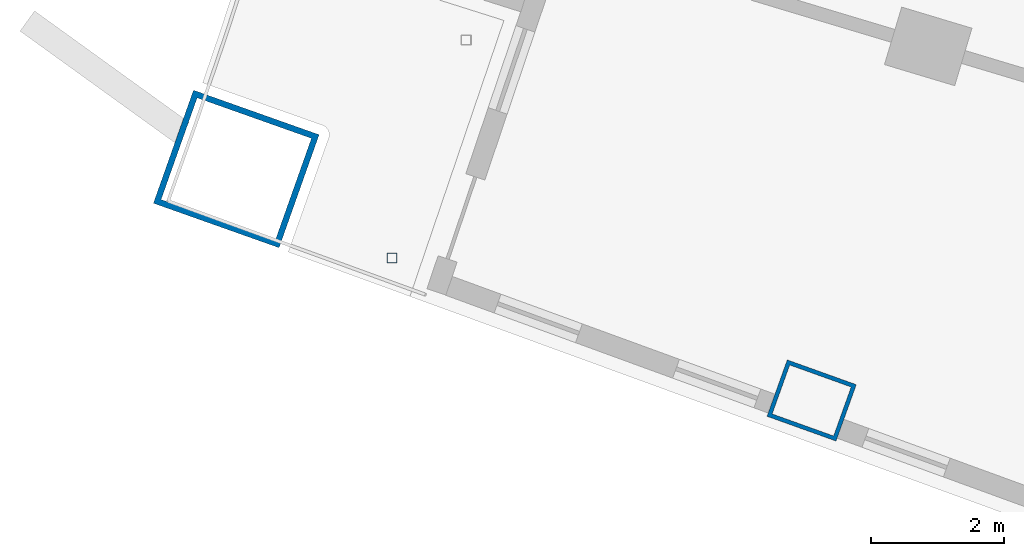
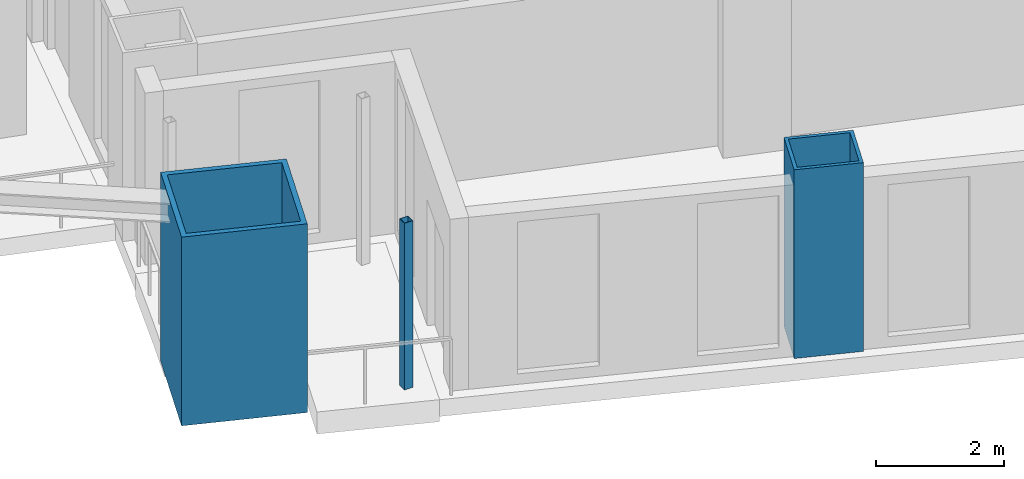
# One storey, part 1 of 25: 3 columns.
"""IFC4 building model written with IfcOpenShell, lengths in metres."""

from ifc_helpers import new_model, si_unit, direction, frame, origin, origin_2d, place, context, subcontext, project, spatial, hollow_rectangle, extrude, material, material_profile, profile_set, type_object, element, save


model = new_model("IFC4")

# Units and contexts
model_context = context("Model", 3, precision=1e-05, world=origin(), true_north=direction((0.0, 1.0)))
body_context = subcontext(model_context, "Body", "Model", "MODEL_VIEW")
ifc_project = project(units=[si_unit("LENGTHUNIT", "METRE"), si_unit("AREAUNIT", "SQUARE_METRE"), si_unit("VOLUMEUNIT", "CUBIC_METRE"), si_unit("PLANEANGLEUNIT", "RADIAN"), si_unit("MASSUNIT", "GRAM", prefix="KILO")], contexts=[model_context])

# Site, building, storey
site_placement = place(None, origin())
site = spatial("IfcSite", under=ifc_project, at=site_placement, CompositionType="ELEMENT")
building_placement = place(site_placement, origin())
building = spatial("IfcBuilding", under=site, at=building_placement, Name="Alderwake Tower", CompositionType="ELEMENT")
storey_placement = place(building_placement, frame((0.0, 0.0, 68.0)))
storey = spatial("IfcBuildingStorey", under=building, at=storey_placement, Name="L16", CompositionType="ELEMENT", Elevation=68.0)

# Columns
ifc_material_1 = material(Name="Steel ASTM A572 Grade 50 concrete filled C70/85", Category="concrete")
ifc_material_profile_1 = material_profile(ifc_material_1, hollow_rectangle(XDim=0.89990234375, YDim=1.10009765625, WallThickness=0.06005859375, at=origin_2d()), Name="BOX 1100X900X60")
ifc_profile_set_1 = profile_set([ifc_material_profile_1], Name="Steel ASTM A572 Grade 50 concrete filled C70/85")
column_type_1 = type_object("IfcColumnType", Name="End column Z1", PredefinedType="COLUMN", material=ifc_profile_set_1)
column_1_placement = place(storey_placement, frame((19.965576171875, 25.1484375, 0.0), z_axis=(0.0, 0.0, 1.0), x_axis=(0.337584879279, 0.9412950915, 0.0)))
element("IfcColumn", 1, at=column_1_placement, inside=storey, type_object=column_type_1, Name="Column R01-C1", PredefinedType="COLUMN", context=body_context, shape_type="SweptSolid", body=[
    extrude(hollow_rectangle(XDim=0.89990234375, YDim=1.10009765625, WallThickness=0.06005859375, at=origin_2d()), origin(), (0.0, 0.0, 1.0), 3.60009765625),
])
ifc_material_2 = material(Name="Steel ASTM A500 Grade C", Category="steel")
ifc_material_profile_2 = material_profile(ifc_material_2, hollow_rectangle(XDim=0.15234375, YDim=0.15234375, WallThickness=0.0087890625, at=origin_2d()), Name="HSS6X6X3/8")
ifc_profile_set_2 = profile_set([ifc_material_profile_2], Name="Steel ASTM A500 Grade C")
column_type_2 = type_object("IfcColumnType", Name="Light post HSS6X6X3/8", PredefinedType="COLUMN", material=ifc_profile_set_2)
column_2_placement = place(storey_placement, frame((13.66796875, 27.28759765625, 0.0), z_axis=(0.0, 0.0, 1.0), x_axis=(1.0, 0.0, 0.0)))
element("IfcColumn", 2, at=column_2_placement, inside=storey, type_object=column_type_2, Name="Terrace post RS2", PredefinedType="COLUMN", context=body_context, shape_type="SweptSolid", body=[
    extrude(hollow_rectangle(XDim=0.15234375, YDim=0.15234375, WallThickness=0.0087890625, at=origin_2d()), origin(), (0.0, 0.0, 1.0), 3.179931640625),
])
ifc_material_3 = material(Name="Steel ASTM A572 Grade 50 concrete filled C70/85", Category="concrete")
ifc_material_profile_3 = material_profile(ifc_material_3, hollow_rectangle(XDim=1.800048828125, YDim=2.0, WallThickness=0.090087890625, at=origin_2d()), Name="BOX 2000X1800X90")
ifc_profile_set_3 = profile_set([ifc_material_profile_3], Name="Steel ASTM A572 Grade 50 concrete filled C70/85")
column_type_3 = type_object("IfcColumnType", Name="Mega column Z1", PredefinedType="COLUMN", material=ifc_profile_set_3)
column_3_placement = place(storey_placement, frame((11.330810546875, 28.622802734375, 0.0), z_axis=(0.0, 0.0, 1.0), x_axis=(0.334130947791, 0.942526662609, 0.0)))
element("IfcColumn", 3, at=column_3_placement, inside=storey, type_object=column_type_3, Name="Column R01-C0", PredefinedType="COLUMN", context=body_context, shape_type="SweptSolid", body=[
    extrude(hollow_rectangle(XDim=1.800048828125, YDim=2.0, WallThickness=0.090087890625, at=origin_2d()), origin(), (0.0, 0.0, 1.0), 3.60009765625),
])

save(model, "model.ifc")
